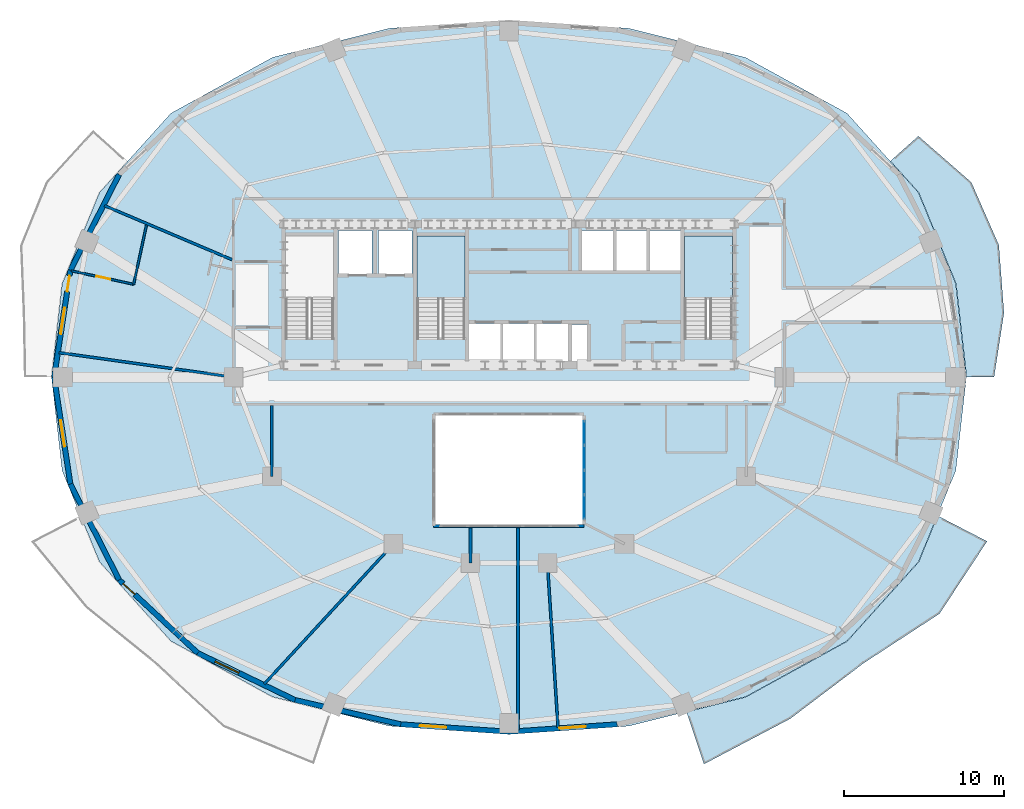
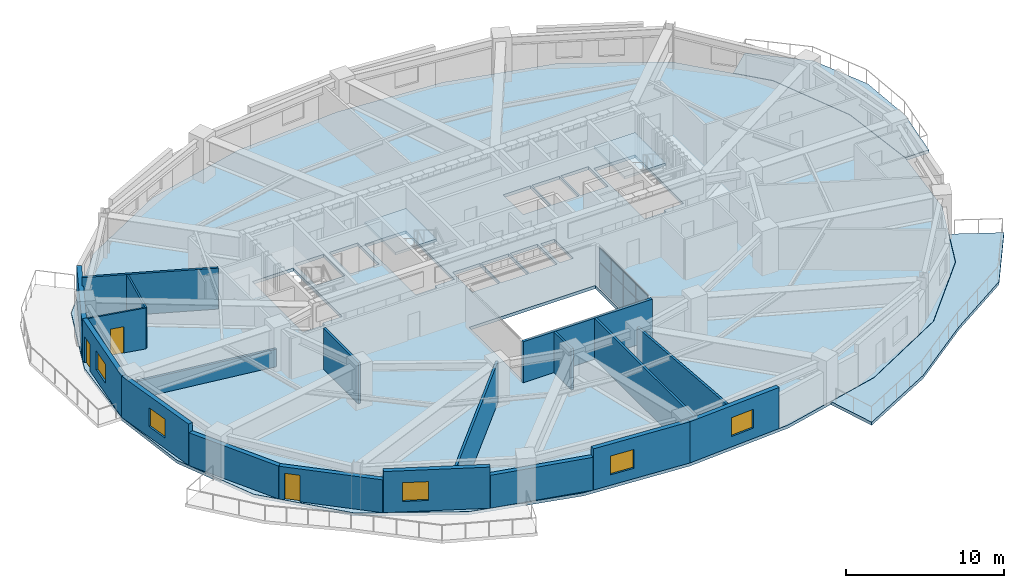
# One storey, part 6 of 13: 19 walls, 8 plates, 5 slabs, 5 windows, 3 doors, 8 openings, 3 elements without a shape of their own.
"""IFC4 building model written with IfcOpenShell, lengths in metres."""

from ifc_helpers import new_model, si_unit, direction, frame, frame_2d, origin, origin_2d, place, context, subcontext, project, spatial, polyline, rectangle, outline, extrude, material, layer, layer_set, type_object, element, fill, aggregate, save


model = new_model("IFC4")

# Units and contexts
model_context = context("Model", 3, precision=1e-05, world=origin(), true_north=direction((0.0, 1.0)))
body_context = subcontext(model_context, "Body", "Model", "MODEL_VIEW")
ifc_project = project(units=[si_unit("LENGTHUNIT", "METRE"), si_unit("AREAUNIT", "SQUARE_METRE"), si_unit("VOLUMEUNIT", "CUBIC_METRE"), si_unit("PLANEANGLEUNIT", "RADIAN"), si_unit("MASSUNIT", "GRAM", prefix="KILO")], contexts=[model_context])

# Site, building, storey
site_placement = place(None, origin())
site = spatial("IfcSite", under=ifc_project, at=site_placement, CompositionType="ELEMENT")
building_placement = place(site_placement, origin())
building = spatial("IfcBuilding", under=site, at=building_placement, Name="Haldorwick Loom Tower", CompositionType="ELEMENT")
storey_placement = place(building_placement, frame((0.0, 0.0, 127.699951171875)))
storey = spatial("IfcBuildingStorey", under=building, at=storey_placement, Name="L34", CompositionType="ELEMENT", Elevation=127.699951171875)

# Curtain wall, plates
ifc_material_1 = material(Name="Thermally Broken Anodized Aluminium Curtain Wall Framing", Category="aluminium")
curtain_wall_type = type_object("IfcCurtainWallType", Name="ARC-CW-03", PredefinedType="NOTDEFINED", material=ifc_material_1)
curtain_wall_placement = place(storey_placement, origin())
curtain_wall = element("IfcCurtainWall", 1, at=curtain_wall_placement, inside=storey, type_object=curtain_wall_type, Name="L34 Atrium Glazed Screen E", PredefinedType="NOTDEFINED")
ifc_material_2 = material(Name="Triple-Glazed Low-E Argon Insulated Glazing Unit", Category="glass")
ifc_layer_1 = layer(ifc_material_2, 0.04296875, Name="Triple-Glazed Low-E Argon Insulated Glazing Unit", Category="glass")
ifc_layer_set_1 = layer_set([ifc_layer_1], Name="Triple-Glazed Low-E Argon Insulated Glazing Unit")
plate_type = type_object("IfcPlateType", Name="ARC-CWP-03", PredefinedType="CURTAIN_PANEL", material=ifc_layer_set_1)
plate_1_placement = place(storey_placement, frame((40.699951171875, 22.508544921875, 0.066162109375), z_axis=(0.0, 0.0, 1.0), x_axis=(0.0, -1.0, 0.0)))
plate_1 = element("IfcPlate", 2, at=plate_1_placement, type_object=plate_type, Name="CW-03 panel 1.1", PredefinedType="CURTAIN_PANEL", context=body_context, shape_type="SweptSolid", body=[
    extrude(rectangle(XDim=1.450927734375, YDim=0.04296875, at=origin_2d()), origin(), (0.0, 0.0, 1.0), 1.90087890625),
])
plate_2_placement = place(storey_placement, frame((40.699951171875, 22.508544921875, 2.033203125), z_axis=(0.0, 0.0, 1.0), x_axis=(0.0, -1.0, 0.0)))
plate_2 = element("IfcPlate", 3, at=plate_2_placement, type_object=plate_type, Name="CW-03 panel 1.2", PredefinedType="CURTAIN_PANEL", context=body_context, shape_type="SweptSolid", body=[
    extrude(rectangle(XDim=1.450927734375, YDim=0.04296875, at=origin_2d()), origin(), (0.0, 0.0, 1.0), 1.071044921875),
])
plate_3_placement = place(storey_placement, frame((40.699951171875, 20.97509765625, 0.066162109375), z_axis=(0.0, 0.0, 1.0), x_axis=(0.0, -1.0, 0.0)))
plate_3 = element("IfcPlate", 4, at=plate_3_placement, type_object=plate_type, Name="CW-03 panel 2.1", PredefinedType="CURTAIN_PANEL", context=body_context, shape_type="SweptSolid", body=[
    extrude(rectangle(XDim=1.48388671875, YDim=0.04296875, at=origin_2d()), origin(), (0.0, 0.0, 1.0), 1.90087890625),
])
plate_4_placement = place(storey_placement, frame((40.699951171875, 20.97509765625, 2.033203125), z_axis=(0.0, 0.0, 1.0), x_axis=(0.0, -1.0, 0.0)))
plate_4 = element("IfcPlate", 5, at=plate_4_placement, type_object=plate_type, Name="CW-03 panel 2.2", PredefinedType="CURTAIN_PANEL", context=body_context, shape_type="SweptSolid", body=[
    extrude(rectangle(XDim=1.48388671875, YDim=0.04296875, at=origin_2d()), origin(), (0.0, 0.0, 1.0), 1.071044921875),
])
plate_5_placement = place(storey_placement, frame((40.699951171875, 19.425048828125, 0.066162109375), z_axis=(0.0, 0.0, 1.0), x_axis=(0.0, -1.0, 0.0)))
plate_5 = element("IfcPlate", 6, at=plate_5_placement, type_object=plate_type, Name="CW-03 panel 3.1", PredefinedType="CURTAIN_PANEL", context=body_context, shape_type="SweptSolid", body=[
    extrude(rectangle(XDim=1.48388671875, YDim=0.04296875, at=origin_2d()), origin(), (0.0, 0.0, 1.0), 1.90087890625),
])
plate_6_placement = place(storey_placement, frame((40.699951171875, 19.425048828125, 2.033203125), z_axis=(0.0, 0.0, 1.0), x_axis=(0.0, -1.0, 0.0)))
plate_6 = element("IfcPlate", 7, at=plate_6_placement, type_object=plate_type, Name="CW-03 panel 3.2", PredefinedType="CURTAIN_PANEL", context=body_context, shape_type="SweptSolid", body=[
    extrude(rectangle(XDim=1.48388671875, YDim=0.04296875, at=origin_2d()), origin(), (0.0, 0.0, 1.0), 1.071044921875),
])
plate_7_placement = place(storey_placement, frame((40.699951171875, 17.8916015625, 0.066162109375), z_axis=(0.0, 0.0, 1.0), x_axis=(0.0, -1.0, 0.0)))
plate_7 = element("IfcPlate", 8, at=plate_7_placement, type_object=plate_type, Name="CW-03 panel 4.1", PredefinedType="CURTAIN_PANEL", context=body_context, shape_type="SweptSolid", body=[
    extrude(rectangle(XDim=1.450927734375, YDim=0.04296875, at=origin_2d()), origin(), (0.0, 0.0, 1.0), 1.90087890625),
])
plate_8_placement = place(storey_placement, frame((40.699951171875, 17.8916015625, 2.033203125), z_axis=(0.0, 0.0, 1.0), x_axis=(0.0, -1.0, 0.0)))
plate_8 = element("IfcPlate", 9, at=plate_8_placement, type_object=plate_type, Name="CW-03 panel 4.2", PredefinedType="CURTAIN_PANEL", context=body_context, shape_type="SweptSolid", body=[
    extrude(rectangle(XDim=1.450927734375, YDim=0.04296875, at=origin_2d()), origin(), (0.0, 0.0, 1.0), 1.071044921875),
])
aggregate(curtain_wall, [plate_1, plate_2, plate_3, plate_4, plate_5, plate_6, plate_7, plate_8])

# Slabs
ifc_material_3 = material(Name="Concrete C40 (40 MPa)", Category="concrete")
ifc_layer_2 = layer(ifc_material_3, 0.239990234375, Name="Concrete C40 (40 MPa)", Category="concrete")
ifc_layer_set_2 = layer_set([ifc_layer_2], Name="Concrete C40 (40 MPa)")
slab_type_1 = type_object("IfcSlabType", Name="STR-SLB-BAL240", PredefinedType="FLOOR", material=ifc_layer_set_2)
slab_1_placement = place(storey_placement, frame((0.0, 0.0, -0.239990234375)))
element("IfcSlab", 10, at=slab_1_placement, inside=storey, type_object=slab_type_1, Name="L34 Sinusoidal Balcony Terrace BAL_SE", PredefinedType="FLOOR", context=body_context, shape_type="SweptSolid", body=[
    extrude(outline(polyline([(62.758544921875, 17.34814453125), (61.580078125, 14.468994140625), (61.579345703125, 14.4677734375), (61.578857421875, 14.466552734375), (61.578125, 14.465576171875), (61.5771484375, 14.464599609375), (57.11279296875, 9.51318359375), (57.11181640625, 9.51220703125), (57.1103515625, 9.510986328125), (57.10888671875, 9.51025390625), (50.767822265625, 6.0244140625), (50.7666015625, 6.023681640625), (50.765380859375, 6.023193359375), (50.76416015625, 6.022705078125), (47.08642578125, 5.10498046875), (48.174560546875, 1.84326171875), (53.555908203125, 4.676025390625), (58.164306640625, 8.16259765625), (62.8779296875, 11.235107421875), (65.848388671875, 15.751708984375), (62.758544921875, 17.34814453125)])), origin(), (0.0, 0.0, 1.0), 0.239990234375),
])
slab_2_placement = place(storey_placement, frame((0.0, 0.0, -0.239990234375)))
element("IfcSlab", 11, at=slab_2_placement, inside=storey, type_object=slab_type_1, Name="L34 Sinusoidal Balcony Terrace BAL_ENE", PredefinedType="FLOOR", context=body_context, shape_type="SweptSolid", body=[
    extrude(outline(polyline([(59.813720703125, 39.4912109375), (61.5771484375, 37.535400390625), (61.578125, 37.534423828125), (61.578857421875, 37.533447265625), (61.579345703125, 37.5322265625), (61.580078125, 37.531005859375), (63.90869140625, 31.841796875), (63.9091796875, 31.840576171875), (63.909423828125, 31.83935546875), (63.90966796875, 31.837890625), (64.572509765625, 26.001708984375), (64.572509765625, 26.0), (66.2841796875, 26.0), (66.90478515625, 30.026123046875), (66.58251953125, 34.246337890625), (64.864501953125, 38.163818359375), (61.560302734375, 41.05126953125), (59.813720703125, 39.4912109375)])), origin(), (0.0, 0.0, 1.0), 0.239990234375),
])

# Stair, slab
stair_type = type_object("IfcStairType", Name="STR-STR-CORE", PredefinedType="HALF_TURN_STAIR", material=ifc_material_3)
stair_1_placement = place(storey_placement, origin())
stair_1 = element("IfcStair", 12, at=stair_1_placement, inside=storey, type_object=stair_type, Name="L34 Exit Stair ST-02", PredefinedType="HALF_TURN_STAIR")
ifc_layer_3 = layer(ifc_material_3, 0.199951171875, Name="Concrete C40 (40 MPa)", Category="concrete")
ifc_layer_set_3 = layer_set([ifc_layer_3], Name="Concrete C40 (40 MPa)")
slab_type_2 = type_object("IfcSlabType", Name="STR-SLB-LAND200", PredefinedType="LANDING", material=ifc_layer_set_3)
slab_3_placement = place(storey_placement, frame((0.0, 0.0, 1.525146484375)))
slab_3 = element("IfcSlab", 13, at=slab_3_placement, type_object=slab_type_2, Name="ST-02 landing 1", PredefinedType="LANDING", context=body_context, shape_type="SweptSolid", body=[
    extrude(outline(polyline([(49.949951171875, 30.919921875), (49.949951171875, 34.800048828125), (46.949951171875, 34.800048828125), (46.949951171875, 30.919921875), (49.949951171875, 30.919921875)])), origin(), (0.0, 0.0, 1.0), 0.199951171875),
])
aggregate(stair_1, [slab_3])

stair_2_placement = place(storey_placement, origin())
stair_2 = element("IfcStair", 14, at=stair_2_placement, inside=storey, type_object=stair_type, Name="L34 Exit Stair ST-03", PredefinedType="HALF_TURN_STAIR")
slab_4_placement = place(storey_placement, frame((0.0, 0.0, 1.525146484375)))
slab_4 = element("IfcSlab", 15, at=slab_4_placement, type_object=slab_type_2, Name="ST-03 landing 1", PredefinedType="LANDING", context=body_context, shape_type="SweptSolid", body=[
    extrude(outline(polyline([(33.25, 30.919921875), (33.25, 34.800048828125), (30.25, 34.800048828125), (30.25, 30.919921875), (33.25, 30.919921875)])), origin(), (0.0, 0.0, 1.0), 0.199951171875),
])
aggregate(stair_2, [slab_4])

# Slab
ifc_layer_4 = layer(ifc_material_3, 0.239990234375, Name="Concrete C40 (40 MPa)", Category="concrete")
ifc_layer_set_4 = layer_set([ifc_layer_4], Name="Concrete C40 (40 MPa)")
slab_type_3 = type_object("IfcSlabType", Name="STR-SLB-RES240", PredefinedType="FLOOR", material=ifc_layer_set_4)
slab_5_placement = place(storey_placement, frame((0.0, 0.0, -0.239990234375)))
element("IfcSlab", 16, at=slab_5_placement, inside=storey, type_object=slab_type_3, Name="L34 Residential Structural Floor Slab", PredefinedType="FLOOR", context=body_context, shape_type="SweptSolid", body=[
    extrude(outline(polyline([(57.101806640625, 9.523193359375), (61.566162109375, 14.474609375), (63.894775390625, 20.163818359375), (64.5576171875, 26.0), (63.894775390625, 31.836181640625), (61.566162109375, 37.525390625), (57.101806640625, 42.476806640625), (50.760498046875, 45.962646484375), (43.474365234375, 47.781005859375), (36.0, 48.29833984375), (28.525634765625, 47.781005859375), (21.239501953125, 45.962646484375), (14.898193359375, 42.476806640625), (10.433837890625, 37.525390625), (8.105224609375, 31.836181640625), (7.4423828125, 26.0), (8.105224609375, 20.163818359375), (10.433837890625, 14.474609375), (14.898193359375, 9.523193359375), (21.239501953125, 6.037353515625), (28.525634765625, 4.218994140625), (36.0, 3.70166015625), (43.474365234375, 4.218994140625), (50.760498046875, 6.037353515625), (57.101806640625, 9.523193359375)]), holes=[polyline([(31.39990234375, 16.800048828125), (31.39990234375, 23.60009765625), (40.60009765625, 23.60009765625), (40.60009765625, 16.800048828125), (31.39990234375, 16.800048828125)]), polyline([(33.5, 26.85009765625), (33.5, 29.35009765625), (35.5, 29.35009765625), (35.5, 26.85009765625), (33.5, 26.85009765625)]), polyline([(35.60009765625, 26.85009765625), (35.60009765625, 29.35009765625), (37.60009765625, 29.35009765625), (37.60009765625, 26.85009765625), (35.60009765625, 26.85009765625)]), polyline([(23.6201171875, 28.39990234375), (22.050048828125, 28.39990234375), (22.050048828125, 34.800048828125), (25.050048828125, 34.800048828125), (25.050048828125, 28.639892578125), (23.6201171875, 28.639892578125), (23.6201171875, 28.39990234375)]), polyline([(30.25, 28.39990234375), (30.25, 34.800048828125), (33.25, 34.800048828125), (33.25, 28.639892578125), (31.820068359375, 28.639892578125), (31.820068359375, 28.39990234375), (30.25, 28.39990234375)]), polyline([(25.35009765625, 32.449951171875), (25.35009765625, 35.14990234375), (27.449951171875, 35.14990234375), (27.449951171875, 32.449951171875), (25.35009765625, 32.449951171875)]), polyline([(29.949951171875, 32.449951171875), (27.85009765625, 32.449951171875), (27.85009765625, 35.14990234375), (29.949951171875, 35.14990234375), (29.949951171875, 32.449951171875)]), polyline([(37.699951171875, 26.85009765625), (37.699951171875, 29.35009765625), (39.699951171875, 29.35009765625), (39.699951171875, 26.85009765625), (37.699951171875, 26.85009765625)]), polyline([(39.89990234375, 26.89990234375), (39.89990234375, 29.300048828125), (40.89990234375, 29.300048828125), (40.89990234375, 26.89990234375), (39.89990234375, 26.89990234375)]), polyline([(46.949951171875, 28.39990234375), (46.949951171875, 34.800048828125), (49.949951171875, 34.800048828125), (49.949951171875, 28.639892578125), (48.52001953125, 28.639892578125), (48.52001953125, 28.39990234375), (46.949951171875, 28.39990234375)]), polyline([(40.550048828125, 32.64990234375), (40.550048828125, 35.14990234375), (42.550048828125, 35.14990234375), (42.550048828125, 32.64990234375), (40.550048828125, 32.64990234375)]), polyline([(42.64990234375, 32.64990234375), (42.64990234375, 35.14990234375), (44.64990234375, 35.14990234375), (44.64990234375, 32.64990234375), (42.64990234375, 32.64990234375)]), polyline([(44.75, 32.64990234375), (44.75, 35.14990234375), (46.75, 35.14990234375), (46.75, 32.64990234375), (44.75, 32.64990234375)])]), origin(), (0.0, 0.0, 1.0), 0.239990234375),
])

# Wall
ifc_material_4 = material(Name="Pressed Clay Face Brick and Insulated Masonry Backup Assembly", Category="masonry")
ifc_layer_5 = layer(ifc_material_4, 0.320068359375, Name="Pressed Clay Face Brick and Insulated Masonry Backup Assembly", Category="masonry")
ifc_layer_set_5 = layer_set([ifc_layer_5], Name="Pressed Clay Face Brick and Insulated Masonry Backup Assembly")
wall_type_1 = type_object("IfcWallType", Name="ARC-WL-EXT320", PredefinedType="STANDARD", material=ifc_layer_set_5)
wall_1_placement = place(storey_placement, frame((11.661376953125, 38.655517578125, 0.0), z_axis=(0.0, 0.0, 1.0), x_axis=(-0.453374078001, -0.89132033826, 0.0)))
element("IfcWall", 17, at=wall_1_placement, inside=storey, type_object=wall_type_1, Name="L34 Brick Pier and Spandrel Wall 11", PredefinedType="STANDARD", context=body_context, shape_type="SweptSolid", body=[
    extrude(rectangle(XDim=6.709716796875, YDim=0.320068359375, at=frame_2d((3.35498046875, 0.0))), origin(), (0.0, 0.0, 1.0), 2.529052734375),
])

# Wall, openings, door, window
wall_2_placement = place(storey_placement, frame((8.619384765625, 32.675048828125, 0.0), z_axis=(0.0, 0.0, 1.0), x_axis=(-0.150633288003, -0.988589708901, 0.0)))
wall_2 = element("IfcWall", 18, at=wall_2_placement, inside=storey, type_object=wall_type_1, Name="L34 Brick Pier and Spandrel Wall 12", PredefinedType="STANDARD", context=body_context, shape_type="SweptSolid", body=[
    extrude(rectangle(XDim=6.752197265625, YDim=0.320068359375, at=frame_2d((3.3759765625, 0.0))), origin(), (0.0, 0.0, 1.0), 3.170166015625),
])
opening_1_placement = place(wall_2_placement, frame((0.340087890625, 0.0, 0.0)))
opening_1 = element("IfcOpeningElement", 19, at=opening_1_placement, cuts=wall_2, Name="Opening D-BL10", PredefinedType="OPENING", context=body_context, shape_type="SweptSolid", body=[
    extrude(rectangle(XDim=1.0, YDim=2.0400390625, at=frame_2d((0.5, 1.02001953125))), frame((0.0, 0.169921875, 0.0), z_axis=(0.0, -1.0, 0.0), x_axis=(1.0, 0.0, 0.0)), (0.0, 0.0, 1.0), 0.340087890625),
])
opening_2_placement = place(wall_2_placement, frame((2.371826171875, 0.0, 0.800048828125)))
opening_2 = element("IfcOpeningElement", 20, at=opening_2_placement, cuts=wall_2, Name="Opening W-01B", PredefinedType="OPENING", context=body_context, shape_type="SweptSolid", body=[
    extrude(rectangle(XDim=1.64990234375, YDim=1.449951171875, at=frame_2d((0.824951171875, 0.72509765625))), frame((0.0, 0.169921875, 0.0), z_axis=(0.0, -1.0, 0.0), x_axis=(1.0, 0.0, 0.0)), (0.0, 0.0, 1.0), 0.340087890625),
])
door_type_1 = type_object("IfcDoorType", Name="ARC-DR-BAL100", OperationType="NOTDEFINED", PredefinedType="DOOR", material=ifc_material_1)
door_1_placement = place(opening_1_placement, origin())
door_1 = element("IfcDoor", 21, at=door_1_placement, inside=storey, type_object=door_type_1, Name="L34 Outdoor Terrace Door SLB-L34-BAL_WNW", OperationType="SINGLE_SWING_RIGHT", OverallHeight=2.0400390625, OverallWidth=1.0, PredefinedType="DOOR", context=body_context, shape_type="SweptSolid", body=[
    extrude(rectangle(XDim=1.0, YDim=2.0400390625, at=frame_2d((0.5, 1.02001953125))), frame((0.0, 0.02490234375, 0.0), z_axis=(0.0, -1.0, 0.0), x_axis=(1.0, 0.0, 0.0)), (0.0, 0.0, 1.0), 0.050048828125),
])
fill(opening_1, door_1)
window_type = type_object("IfcWindowType", Name="ARC-WIN-W165", PartitioningType="SINGLE_PANEL", PredefinedType="WINDOW", material=ifc_material_2)
window_1_placement = place(opening_2_placement, origin())
window_1 = element("IfcWindow", 22, at=window_1_placement, inside=storey, type_object=window_type, Name="L34 Deep-Set Zone 7A Window 12", OverallHeight=1.449951171875, OverallWidth=1.64990234375, PartitioningType="SINGLE_PANEL", PredefinedType="WINDOW", context=body_context, shape_type="SweptSolid", body=[
    extrude(rectangle(XDim=1.64990234375, YDim=1.449951171875, at=frame_2d((0.824951171875, 0.72509765625))), frame((0.0, 0.030029296875, 0.0), z_axis=(0.0, -1.0, 0.0), x_axis=(1.0, 0.0, 0.0)), (0.0, 0.0, 1.0), 0.06005859375),
])
fill(opening_2, window_1)

# Wall, opening, window
wall_3_placement = place(storey_placement, frame((7.602294921875, 26.0, 0.0), z_axis=(0.0, 0.0, 1.0), x_axis=(0.150633288003, -0.988589708901, 0.0)))
wall_3 = element("IfcWall", 23, at=wall_3_placement, inside=storey, type_object=wall_type_1, Name="L34 Brick Pier and Spandrel Wall 13", PredefinedType="STANDARD", context=body_context, shape_type="SweptSolid", body=[
    extrude(rectangle(XDim=6.752197265625, YDim=0.320068359375, at=frame_2d((3.3759765625, 0.0))), origin(), (0.0, 0.0, 1.0), 3.170166015625),
])
opening_3_placement = place(wall_3_placement, frame((2.730224609375, 0.0, 0.800048828125)))
opening_3 = element("IfcOpeningElement", 24, at=opening_3_placement, cuts=wall_3, Name="Opening W-01B", PredefinedType="OPENING", context=body_context, shape_type="SweptSolid", body=[
    extrude(rectangle(XDim=1.64990234375, YDim=1.449951171875, at=frame_2d((0.824951171875, 0.72509765625))), frame((0.0, 0.169921875, 0.0), z_axis=(0.0, -1.0, 0.0), x_axis=(1.0, 0.0, 0.0)), (0.0, 0.0, 1.0), 0.340087890625),
])
window_2_placement = place(opening_3_placement, origin())
window_2 = element("IfcWindow", 25, at=window_2_placement, inside=storey, type_object=window_type, Name="L34 Deep-Set Zone 7A Window 13", OverallHeight=1.449951171875, OverallWidth=1.64990234375, PartitioningType="SINGLE_PANEL", PredefinedType="WINDOW", context=body_context, shape_type="SweptSolid", body=[
    extrude(rectangle(XDim=1.64990234375, YDim=1.449951171875, at=frame_2d((0.824951171875, 0.72509765625))), frame((0.0, 0.030029296875, 0.0), z_axis=(0.0, -1.0, 0.0), x_axis=(1.0, 0.0, 0.0)), (0.0, 0.0, 1.0), 0.06005859375),
])
fill(opening_3, window_2)

# Wall
wall_4_placement = place(storey_placement, frame((8.619384765625, 19.324951171875, 0.0), z_axis=(0.0, 0.0, 1.0), x_axis=(0.453374078001, -0.89132033826, 0.0)))
element("IfcWall", 26, at=wall_4_placement, inside=storey, type_object=wall_type_1, Name="L34 Brick Pier and Spandrel Wall 14", PredefinedType="STANDARD", context=body_context, shape_type="SweptSolid", body=[
    extrude(rectangle(XDim=6.709716796875, YDim=0.320068359375, at=frame_2d((3.35498046875, 0.0))), origin(), (0.0, 0.0, 1.0), 2.529052734375),
])

# Wall, opening, door
wall_5_placement = place(storey_placement, frame((11.661376953125, 13.344482421875, 0.0), z_axis=(0.0, 0.0, 1.0), x_axis=(0.732137360086, -0.681157020052, 0.0)))
wall_5 = element("IfcWall", 27, at=wall_5_placement, inside=storey, type_object=wall_type_1, Name="L34 Brick Pier and Spandrel Wall 15", PredefinedType="STANDARD", context=body_context, shape_type="SweptSolid", body=[
    extrude(rectangle(XDim=6.709228515625, YDim=0.320068359375, at=frame_2d((3.3544921875, 0.0))), origin(), (0.0, 0.0, 1.0), 2.529052734375),
])
opening_4_placement = place(wall_5_placement, frame((0.340087890625, 0.0, 0.0)))
opening_4 = element("IfcOpeningElement", 28, at=opening_4_placement, cuts=wall_5, Name="Opening D-BL10", PredefinedType="OPENING", context=body_context, shape_type="SweptSolid", body=[
    extrude(rectangle(XDim=1.0, YDim=2.0400390625, at=frame_2d((0.5, 1.02001953125))), frame((0.0, 0.169921875, 0.0), z_axis=(0.0, -1.0, 0.0), x_axis=(1.0, 0.0, 0.0)), (0.0, 0.0, 1.0), 0.340087890625),
])
door_2_placement = place(opening_4_placement, origin())
door_2 = element("IfcDoor", 29, at=door_2_placement, inside=storey, type_object=door_type_1, Name="L34 Outdoor Terrace Door SLB-L34-BAL_SW", OperationType="SINGLE_SWING_LEFT", OverallHeight=2.0400390625, OverallWidth=1.0, PredefinedType="DOOR", context=body_context, shape_type="SweptSolid", body=[
    extrude(rectangle(XDim=1.0, YDim=2.0400390625, at=frame_2d((0.5, 1.02001953125))), frame((0.0, 0.02490234375, 0.0), z_axis=(0.0, -1.0, 0.0), x_axis=(1.0, 0.0, 0.0)), (0.0, 0.0, 1.0), 0.050048828125),
])
fill(opening_4, door_2)

# Wall, opening, window
wall_6_placement = place(storey_placement, frame((16.573486328125, 8.7744140625, 0.0), z_axis=(0.0, 0.0, 1.0), x_axis=(0.900510094661, -0.434835106004, 0.0)))
wall_6 = element("IfcWall", 30, at=wall_6_placement, inside=storey, type_object=wall_type_1, Name="L34 Brick Pier and Spandrel Wall 16", PredefinedType="STANDARD", context=body_context, shape_type="SweptSolid", body=[
    extrude(rectangle(XDim=6.744873046875, YDim=0.320068359375, at=frame_2d((3.37255859375, 0.0))), origin(), (0.0, 0.0, 1.0), 3.170166015625),
])
opening_5_placement = place(wall_6_placement, frame((1.198486328125, 0.0, 0.800048828125)))
opening_5 = element("IfcOpeningElement", 31, at=opening_5_placement, cuts=wall_6, Name="Opening W-01B", PredefinedType="OPENING", context=body_context, shape_type="SweptSolid", body=[
    extrude(rectangle(XDim=1.64990234375, YDim=1.449951171875, at=frame_2d((0.824951171875, 0.72509765625))), frame((0.0, 0.169921875, 0.0), z_axis=(0.0, -1.0, 0.0), x_axis=(1.0, 0.0, 0.0)), (0.0, 0.0, 1.0), 0.340087890625),
])
window_3_placement = place(opening_5_placement, origin())
window_3 = element("IfcWindow", 32, at=window_3_placement, inside=storey, type_object=window_type, Name="L34 Deep-Set Zone 7A Window 16", OverallHeight=1.449951171875, OverallWidth=1.64990234375, PartitioningType="SINGLE_PANEL", PredefinedType="WINDOW", context=body_context, shape_type="SweptSolid", body=[
    extrude(rectangle(XDim=1.64990234375, YDim=1.449951171875, at=frame_2d((0.824951171875, 0.72509765625))), frame((0.0, 0.030029296875, 0.0), z_axis=(0.0, -1.0, 0.0), x_axis=(1.0, 0.0, 0.0)), (0.0, 0.0, 1.0), 0.06005859375),
])
fill(opening_5, window_3)

# Wall
wall_7_placement = place(storey_placement, frame((22.647216796875, 5.841552734375, 0.0), z_axis=(0.0, 0.0, 1.0), x_axis=(0.974584177714, -0.224021607329, 0.0)))
element("IfcWall", 33, at=wall_7_placement, inside=storey, type_object=wall_type_1, Name="L34 Brick Pier and Spandrel Wall 17", PredefinedType="STANDARD", context=body_context, shape_type="SweptSolid", body=[
    extrude(rectangle(XDim=6.767822265625, YDim=0.320068359375, at=frame_2d((3.3837890625, 0.0))), origin(), (0.0, 0.0, 1.0), 2.529052734375),
])

# Wall, opening, window
wall_8_placement = place(storey_placement, frame((29.242919921875, 4.325439453125, 0.0), z_axis=(0.0, 0.0, 1.0), x_axis=(0.997651949344, -0.068487867318, 0.0)))
wall_8 = element("IfcWall", 34, at=wall_8_placement, inside=storey, type_object=wall_type_1, Name="L34 Brick Pier and Spandrel Wall 18", PredefinedType="STANDARD", context=body_context, shape_type="SweptSolid", body=[
    extrude(rectangle(XDim=6.77294921875, YDim=0.320068359375, at=frame_2d((3.386474609375, 0.0))), origin(), (0.0, 0.0, 1.0), 3.170166015625),
])
opening_6_placement = place(wall_8_placement, frame((1.206787109375, 0.0, 0.800048828125)))
opening_6 = element("IfcOpeningElement", 35, at=opening_6_placement, cuts=wall_8, Name="Opening W-01B", PredefinedType="OPENING", context=body_context, shape_type="SweptSolid", body=[
    extrude(rectangle(XDim=1.64990234375, YDim=1.449951171875, at=frame_2d((0.824951171875, 0.72509765625))), frame((0.0, 0.169921875, 0.0), z_axis=(0.0, -1.0, 0.0), x_axis=(1.0, 0.0, 0.0)), (0.0, 0.0, 1.0), 0.340087890625),
])
window_4_placement = place(opening_6_placement, origin())
window_4 = element("IfcWindow", 36, at=window_4_placement, inside=storey, type_object=window_type, Name="L34 Deep-Set Zone 7A Window 18", OverallHeight=1.449951171875, OverallWidth=1.64990234375, PartitioningType="SINGLE_PANEL", PredefinedType="WINDOW", context=body_context, shape_type="SweptSolid", body=[
    extrude(rectangle(XDim=1.64990234375, YDim=1.449951171875, at=frame_2d((0.824951171875, 0.72509765625))), frame((0.0, 0.030029296875, 0.0), z_axis=(0.0, -1.0, 0.0), x_axis=(1.0, 0.0, 0.0)), (0.0, 0.0, 1.0), 0.06005859375),
])
fill(opening_6, window_4)

wall_9_placement = place(storey_placement, frame((36.0, 3.861572265625, 0.0), z_axis=(0.0, 0.0, 1.0), x_axis=(0.997651949344, 0.068487867318, 0.0)))
wall_9 = element("IfcWall", 37, at=wall_9_placement, inside=storey, type_object=wall_type_1, Name="L34 Brick Pier and Spandrel Wall 19", PredefinedType="STANDARD", context=body_context, shape_type="SweptSolid", body=[
    extrude(rectangle(XDim=6.77294921875, YDim=0.320068359375, at=frame_2d((3.386474609375, 0.0))), origin(), (0.0, 0.0, 1.0), 3.170166015625),
])
opening_7_placement = place(wall_9_placement, frame((3.161865234375, 0.0, 0.800048828125)))
opening_7 = element("IfcOpeningElement", 38, at=opening_7_placement, cuts=wall_9, Name="Opening W-01B", PredefinedType="OPENING", context=body_context, shape_type="SweptSolid", body=[
    extrude(rectangle(XDim=1.64990234375, YDim=1.449951171875, at=frame_2d((0.824951171875, 0.72509765625))), frame((0.0, 0.169921875, 0.0), z_axis=(0.0, -1.0, 0.0), x_axis=(1.0, 0.0, 0.0)), (0.0, 0.0, 1.0), 0.340087890625),
])
window_5_placement = place(opening_7_placement, origin())
window_5 = element("IfcWindow", 39, at=window_5_placement, inside=storey, type_object=window_type, Name="L34 Deep-Set Zone 7A Window 19", OverallHeight=1.449951171875, OverallWidth=1.64990234375, PartitioningType="SINGLE_PANEL", PredefinedType="WINDOW", context=body_context, shape_type="SweptSolid", body=[
    extrude(rectangle(XDim=1.64990234375, YDim=1.449951171875, at=frame_2d((0.824951171875, 0.72509765625))), frame((0.0, 0.030029296875, 0.0), z_axis=(0.0, -1.0, 0.0), x_axis=(1.0, 0.0, 0.0)), (0.0, 0.0, 1.0), 0.06005859375),
])
fill(opening_7, window_5)

# Walls
ifc_material_5 = material(Name="Fire-Rated Type X Gypsum Stud Assembly EI 60")
ifc_layer_6 = layer(ifc_material_5, 0.159912109375, Name="Fire-Rated Type X Gypsum Stud Assembly EI 60")
ifc_layer_set_6 = layer_set([ifc_layer_6], Name="Fire-Rated Type X Gypsum Stud Assembly EI 60")
wall_type_2 = type_object("IfcWallType", Name="ARC-WL-FIRE160", PredefinedType="PARTITIONING", material=ifc_layer_set_6)
wall_10_placement = place(storey_placement, frame((38.39990234375, 14.39990234375, 0.0), z_axis=(0.0, 0.0, 1.0), x_axis=(0.06435711191, -0.997926932268, 0.0)))
element("IfcWall", 40, at=wall_10_placement, inside=storey, type_object=wall_type_2, Name="L34 Residential Fire Partition L34-ICR-05", PredefinedType="PARTITIONING", context=body_context, shape_type="SweptSolid", body=[
    extrude(rectangle(XDim=10.2841796875, YDim=0.159912109375, at=frame_2d((5.14208984375, 0.0))), origin(), (0.0, 0.0, 1.0), 3.155029296875),
])
wall_11_placement = place(storey_placement, frame((28.800048828125, 15.60009765625, 0.0), z_axis=(0.0, 0.0, 1.0), x_axis=(-0.678102201448, -0.734967621321, 0.0)))
element("IfcWall", 41, at=wall_11_placement, inside=storey, type_object=wall_type_2, Name="L34 Residential Fire Partition L34-ICR-08", PredefinedType="PARTITIONING", context=body_context, shape_type="SweptSolid", body=[
    extrude(rectangle(XDim=11.913818359375, YDim=0.159912109375, at=frame_2d((5.95703125, 0.0))), origin(), (0.0, 0.0, 1.0), 3.155029296875),
])
wall_12_placement = place(storey_placement, frame((18.717041015625, 26.01171875, 0.0), z_axis=(0.0, 0.0, 1.0), x_axis=(-0.99026794236, 0.139174000206, 0.0)))
element("IfcWall", 42, at=wall_12_placement, inside=storey, type_object=wall_type_2, Name="L34 Residential Fire Partition L34-ICR-10", PredefinedType="PARTITIONING", context=body_context, shape_type="SweptSolid", body=[
    extrude(rectangle(XDim=10.921630859375, YDim=0.159912109375, at=frame_2d((5.4609375, 0.0))), origin(), (0.0, 0.0, 1.0), 1.344970703125),
])
wall_13_placement = place(storey_placement, frame((36.563720703125, 3.96533203125, 0.0), z_axis=(0.0, 0.0, 1.0), x_axis=(0.0, 1.0, 0.0)))
element("IfcWall", 43, at=wall_13_placement, inside=storey, type_object=wall_type_2, Name="L34 Residential Fire Partition L34-SBP-0", PredefinedType="PARTITIONING", context=body_context, shape_type="SweptSolid", body=[
    extrude(rectangle(XDim=12.631591796875, YDim=0.159912109375, at=frame_2d((6.31591796875, 0.0))), origin(), (0.0, 0.0, 1.0), 3.155029296875),
])
wall_14_placement = place(storey_placement, frame((33.60009765625, 16.596923828125, 0.0), z_axis=(0.0, 0.0, 1.0), x_axis=(0.0, -1.0, 0.0)))
element("IfcWall", 44, at=wall_14_placement, inside=storey, type_object=wall_type_2, Name="L34 Residential Fire Partition L34-ICA-06", PredefinedType="PARTITIONING", context=body_context, shape_type="SweptSolid", body=[
    extrude(rectangle(XDim=2.197021484375, YDim=0.159912109375, at=frame_2d((1.0986328125, 0.0))), origin(), (0.0, 0.0, 1.0), 3.155029296875),
])
wall_15_placement = place(storey_placement, frame((21.199951171875, 24.217041015625, 0.0), z_axis=(0.0, 0.0, 1.0), x_axis=(0.0, -1.0, 0.0)))
element("IfcWall", 45, at=wall_15_placement, inside=storey, type_object=wall_type_2, Name="L34 Residential Fire Partition L34-ICA-09", PredefinedType="PARTITIONING", context=body_context, shape_type="SweptSolid", body=[
    extrude(rectangle(XDim=4.4169921875, YDim=0.159912109375, at=frame_2d((2.20849609375, 0.0))), origin(), (0.0, 0.0, 1.0), 3.155029296875),
])
wall_16_placement = place(storey_placement, frame((18.717041015625, 33.330078125, 0.0), z_axis=(0.0, 0.0, 1.0), x_axis=(-0.920630308553, 0.390435442772, 0.0)))
element("IfcWall", 46, at=wall_16_placement, inside=storey, type_object=wall_type_2, Name="L34 Suite Split Wall", PredefinedType="PARTITIONING", context=body_context, shape_type="SweptSolid", body=[
    extrude(rectangle(XDim=8.6591796875, YDim=0.159912109375, at=frame_2d((4.32958984375, 0.0))), origin(), (0.0, 0.0, 1.0), 3.155029296875),
])
ifc_material_6 = material(Name="Fire-Rated Type X Gypsum Stud Assembly EI 120")
ifc_layer_7 = layer(ifc_material_6, 0.199951171875, Name="Fire-Rated Type X Gypsum Stud Assembly EI 120")
ifc_layer_set_7 = layer_set([ifc_layer_7], Name="Fire-Rated Type X Gypsum Stud Assembly EI 120")
wall_type_3 = type_object("IfcWallType", Name="ARC-WL-FIRE200", PredefinedType="PARTITIONING", material=ifc_layer_set_7)
wall_17_placement = place(storey_placement, frame((40.699951171875, 16.699951171875, 0.0), z_axis=(0.0, 0.0, 1.0), x_axis=(-1.0, 0.0, 0.0)))
element("IfcWall", 47, at=wall_17_placement, inside=storey, type_object=wall_type_3, Name="L34 Atrium Fire Enclosure Wall S", PredefinedType="PARTITIONING", context=body_context, shape_type="SweptSolid", body=[
    extrude(rectangle(XDim=9.39990234375, YDim=0.199951171875, at=frame_2d((4.699951171875, 0.0))), origin(), (0.0, 0.0, 1.0), 3.155029296875),
])
ifc_material_7 = material(Name="Acoustic Gypsum Stud Assembly STC 55")
ifc_layer_8 = layer(ifc_material_7, 0.1201171875, Name="Acoustic Gypsum Stud Assembly STC 55")
ifc_layer_set_8 = layer_set([ifc_layer_8], Name="Acoustic Gypsum Stud Assembly STC 55")
wall_type_4 = type_object("IfcWallType", Name="ARC-WL-PART120", PredefinedType="PARTITIONING", material=ifc_layer_set_8)
wall_18_placement = place(storey_placement, frame((13.371337890625, 35.507080078125, 0.0), z_axis=(0.0, 0.0, 1.0), x_axis=(-0.211272992451, -0.977427093271, 0.0)))
element("IfcWall", 48, at=wall_18_placement, inside=storey, type_object=wall_type_4, Name="L34 Unit 34B Interior Partition", PredefinedType="PARTITIONING", context=body_context, shape_type="SweptSolid", body=[
    extrude(rectangle(XDim=3.794921875, YDim=0.1201171875, at=frame_2d((1.8974609375, 0.0))), origin(), (0.0, 0.0, 1.0), 3.155029296875),
])

# Wall, opening, door
wall_19_placement = place(storey_placement, frame((12.569580078125, 31.7978515625, 0.0), z_axis=(0.0, 0.0, 1.0), x_axis=(-0.977413822967, 0.211334376459, 0.0)))
wall_19 = element("IfcWall", 49, at=wall_19_placement, inside=storey, type_object=wall_type_4, Name="L34 Unit 34B Interior Partition", PredefinedType="PARTITIONING", context=body_context, shape_type="SweptSolid", body=[
    extrude(rectangle(XDim=3.979736328125, YDim=0.1201171875, at=frame_2d((1.98974609375, 0.0))), origin(), (0.0, 0.0, 1.0), 3.155029296875),
])
opening_8_placement = place(wall_19_placement, frame((1.4892578125, 0.0, 0.0)))
opening_8 = element("IfcOpeningElement", 50, at=opening_8_placement, cuts=wall_19, Name="Opening D-BT88", PredefinedType="OPENING", context=body_context, shape_type="SweptSolid", body=[
    extrude(rectangle(XDim=0.8798828125, YDim=2.02001953125, at=frame_2d((0.43994140625, 1.010009765625))), frame((0.0, 0.070068359375, 0.0), z_axis=(0.0, -1.0, 0.0), x_axis=(1.0, 0.0, 0.0)), (0.0, 0.0, 1.0), 0.14013671875),
])
ifc_material_8 = material(Name="Solid Core Birch Architectural Door")
door_type_2 = type_object("IfcDoorType", Name="ARC-DR-BATH88", OperationType="NOTDEFINED", PredefinedType="DOOR", material=ifc_material_8)
door_3_placement = place(opening_8_placement, origin())
door_3 = element("IfcDoor", 51, at=door_3_placement, inside=storey, type_object=door_type_2, Name="L34 Unit 34B Kitchen and Studio Living Room to Unit 34B Bathroom Door", OperationType="SINGLE_SWING_RIGHT", OverallHeight=2.02001953125, OverallWidth=0.8798828125, PredefinedType="DOOR", context=body_context, shape_type="SweptSolid", body=[
    extrude(rectangle(XDim=0.8798828125, YDim=2.02001953125, at=frame_2d((0.43994140625, 1.010009765625))), frame((0.0, 0.02490234375, 0.0), z_axis=(0.0, -1.0, 0.0), x_axis=(1.0, 0.0, 0.0)), (0.0, 0.0, 1.0), 0.050048828125),
])
fill(opening_8, door_3)

save(model, "model.ifc")
